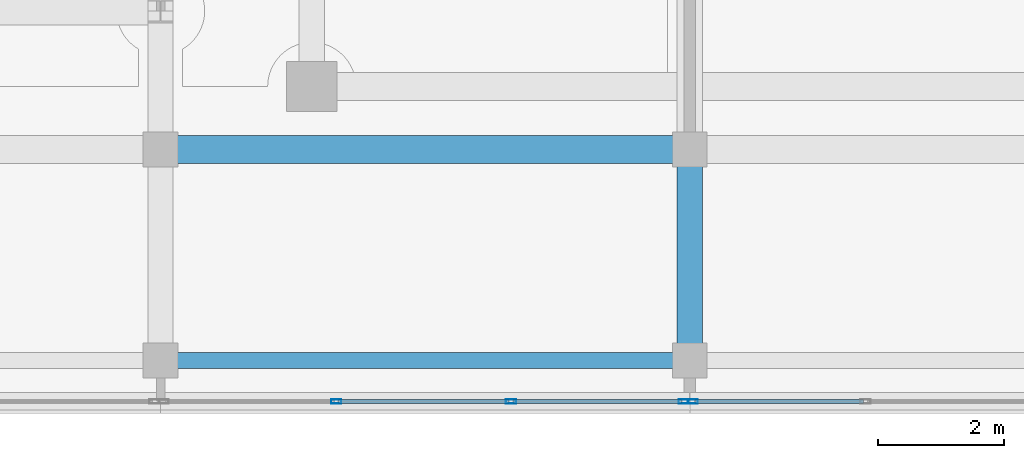
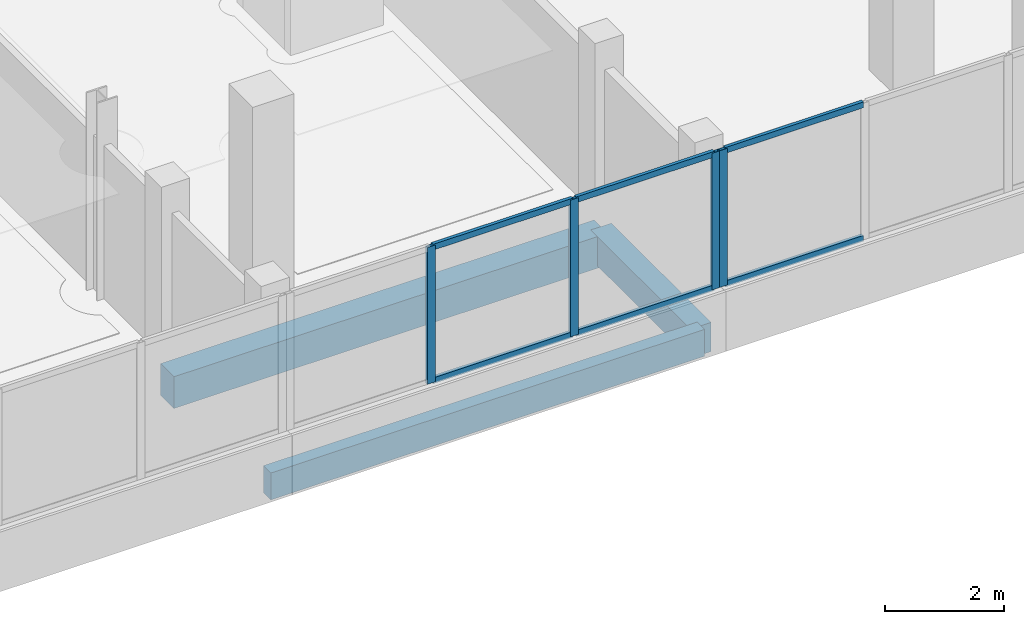
# One storey, part 16 of 67: 10 members, 3 beams, 2 elements without a shape of their own.
"""IFC4 building model written with IfcOpenShell, lengths in metres."""

from ifc_helpers import new_model, si_unit, direction, frame, origin, origin_2d, place, context, subcontext, project, spatial, rectangle, hollow_rectangle, extrude, material, material_profile, profile_set, type_object, element, aggregate, save


model = new_model("IFC4")

# Units and contexts
model_context = context("Model", 3, precision=1e-05, world=origin(), true_north=direction((0.0, 1.0)))
body_context = subcontext(model_context, "Body", "Model", "MODEL_VIEW")
ifc_project = project(units=[si_unit("LENGTHUNIT", "METRE"), si_unit("AREAUNIT", "SQUARE_METRE"), si_unit("VOLUMEUNIT", "CUBIC_METRE"), si_unit("PLANEANGLEUNIT", "RADIAN"), si_unit("MASSUNIT", "GRAM", prefix="KILO")], contexts=[model_context])

# Site, building, storey
site_placement = place(None, origin())
site = spatial("IfcSite", under=ifc_project, at=site_placement, CompositionType="ELEMENT")
building_placement = place(site_placement, origin())
building = spatial("IfcBuilding", under=site, at=building_placement, Name="Selatvlak General Hospital", CompositionType="ELEMENT")
storey_placement = place(building_placement, frame((0.0, 0.0, 35.39990234375)))
storey = spatial("IfcBuildingStorey", under=building, at=storey_placement, Name="L08", CompositionType="ELEMENT", Elevation=35.39990234375)

# Beams
ifc_material_1 = material(Name="Concrete C40/50", Category="concrete")
ifc_material_profile_1 = material_profile(ifc_material_1, rectangle(XDim=0.449951171875, YDim=0.64990234375, at=origin_2d()), Name="RC-BM 450x650")
ifc_profile_set_1 = profile_set([ifc_material_profile_1], Name="Concrete C40/50")
beam_type_1 = type_object("IfcBeamType", Name="BM-G04", PredefinedType="BEAM", material=ifc_profile_set_1)
beam_1_placement = place(storey_placement, frame((56.39990234375, 92.0, -0.58984375), z_axis=(1.0, 0.0, 0.0), x_axis=(0.0, 1.0, 0.0)))
element("IfcBeam", 1, at=beam_1_placement, inside=storey, type_object=beam_type_1, Name="Beam BMR-L08-2572", PredefinedType="BEAM", context=body_context, shape_type="SweptSolid", body=[
    extrude(rectangle(XDim=0.449951171875, YDim=0.64990234375, at=origin_2d()), origin(), (0.0, 0.0, 1.0), 8.400146484375),
])
ifc_material_profile_2 = material_profile(ifc_material_1, rectangle(XDim=0.39990234375, YDim=0.60009765625, at=origin_2d()), Name="RC-BM 400x600")
ifc_profile_set_2 = profile_set([ifc_material_profile_2], Name="Concrete C40/50")
beam_type_2 = type_object("IfcBeamType", Name="BM-G05", PredefinedType="BEAM", material=ifc_profile_set_2)
beam_2_placement = place(storey_placement, frame((64.800048828125, 88.64990234375, -0.56494140625), z_axis=(0.0, 1.0, 0.0), x_axis=(-1.0, 0.0, 0.0)))
element("IfcBeam", 2, at=beam_2_placement, inside=storey, type_object=beam_type_2, Name="Beam BMR-L08-2654", PredefinedType="BEAM", context=body_context, shape_type="SweptSolid", body=[
    extrude(rectangle(XDim=0.39990234375, YDim=0.60009765625, at=origin_2d()), origin(), (0.0, 0.0, 1.0), 3.35009765625),
])
ifc_material_profile_3 = material_profile(ifc_material_1, rectangle(XDim=0.25, YDim=0.550048828125, at=origin_2d()), Name="RC-SP 250x550")
ifc_profile_set_3 = profile_set([ifc_material_profile_3], Name="Concrete C40/50")
beam_type_3 = type_object("IfcBeamType", Name="BM-SP2", PredefinedType="SPANDREL", material=ifc_profile_set_3)
beam_3_placement = place(storey_placement, frame((56.39990234375, 88.64990234375, -0.539794921875), z_axis=(1.0, 0.0, 0.0), x_axis=(0.0, 1.0, 0.0)))
element("IfcBeam", 3, at=beam_3_placement, inside=storey, type_object=beam_type_3, Name="Beam BMR-L08-2555", PredefinedType="SPANDREL", context=body_context, shape_type="SweptSolid", body=[
    extrude(rectangle(XDim=0.25, YDim=0.550048828125, at=origin_2d()), origin(), (0.0, 0.0, 1.0), 8.400146484375),
])

# Curtain wall, member
ifc_material_2 = material(Name="Solar-control Low-E double glazing", Category="glass")
curtain_wall_type_1 = type_object("IfcCurtainWallType", Name="CW-CW-02", PredefinedType="USERDEFINED", material=ifc_material_2)
curtain_wall_1_placement = place(storey_placement, origin())
curtain_wall_1 = element("IfcCurtainWall", 4, at=curtain_wall_1_placement, inside=storey, type_object=curtain_wall_type_1, Name="Glazed facade curtain wall CW-L08-0711", ObjectType="UNITISED CURTAIN WALL", PredefinedType="USERDEFINED")
ifc_material_3 = material(Name="Dark anodised aluminium mullion", Category="aluminium")
ifc_material_profile_4 = material_profile(ifc_material_3, hollow_rectangle(XDim=0.06494140625, YDim=0.159912109375, WallThickness=0.00390625, at=origin_2d()), Name="AL-MUL 65x160x4")
ifc_profile_set_4 = profile_set([ifc_material_profile_4], Name="Dark anodised aluminium mullion")
member_type_1 = type_object("IfcMemberType", Name="CWM-01", PredefinedType="MULLION", material=ifc_profile_set_4)
member_1_placement = place(storey_placement, frame((64.847412109375, 88.0, 0.940185546875), z_axis=(0.0, 0.0, 1.0), x_axis=(0.0, -1.0, 0.0)))
member_1 = element("IfcMember", 5, at=member_1_placement, type_object=member_type_1, Name="CW-02 mullion 4", PredefinedType="MULLION", context=body_context, shape_type="SweptSolid", body=[
    extrude(hollow_rectangle(XDim=0.06494140625, YDim=0.159912109375, WallThickness=0.00390625, at=origin_2d()), origin(), (0.0, 0.0, 1.0), 2.7998046875),
])

# Curtain wall, members
curtain_wall_type_2 = type_object("IfcCurtainWallType", Name="CW-CW-01", PredefinedType="USERDEFINED", material=ifc_material_2)
curtain_wall_2_placement = place(storey_placement, origin())
curtain_wall_2 = element("IfcCurtainWall", 6, at=curtain_wall_2_placement, inside=storey, type_object=curtain_wall_type_2, Name="Glazed facade curtain wall CW-L08-0712", ObjectType="UNITISED CURTAIN WALL", PredefinedType="USERDEFINED")
member_2_placement = place(storey_placement, frame((64.702392578125, 88.0, 0.940185546875), z_axis=(0.0, 0.0, 1.0), x_axis=(0.0, -1.0, 0.0)))
member_2 = element("IfcMember", 7, at=member_2_placement, type_object=member_type_1, Name="CW-01 mullion 1", PredefinedType="MULLION", context=body_context, shape_type="SweptSolid", body=[
    extrude(hollow_rectangle(XDim=0.06494140625, YDim=0.159912109375, WallThickness=0.00390625, at=origin_2d()), origin(), (0.0, 0.0, 1.0), 2.7998046875),
])
member_3_placement = place(storey_placement, frame((61.961669921875, 88.0, 0.940185546875), z_axis=(0.0, 0.0, 1.0), x_axis=(0.0, -1.0, 0.0)))
member_3 = element("IfcMember", 8, at=member_3_placement, type_object=member_type_1, Name="CW-01 mullion 2", PredefinedType="MULLION", context=body_context, shape_type="SweptSolid", body=[
    extrude(hollow_rectangle(XDim=0.06494140625, YDim=0.159912109375, WallThickness=0.00390625, at=origin_2d()), origin(), (0.0, 0.0, 1.0), 2.7998046875),
])
member_4_placement = place(storey_placement, frame((59.188232421875, 88.0, 0.940185546875), z_axis=(0.0, 0.0, 1.0), x_axis=(0.0, -1.0, 0.0)))
member_4 = element("IfcMember", 9, at=member_4_placement, type_object=member_type_1, Name="CW-01 mullion 3", PredefinedType="MULLION", context=body_context, shape_type="SweptSolid", body=[
    extrude(hollow_rectangle(XDim=0.06494140625, YDim=0.159912109375, WallThickness=0.00390625, at=origin_2d()), origin(), (0.0, 0.0, 1.0), 2.7998046875),
])

# Member
ifc_material_profile_5 = material_profile(ifc_material_3, hollow_rectangle(XDim=0.06494140625, YDim=0.1201171875, WallThickness=0.00390625, at=origin_2d()), Name="AL-TRN 65x120x4")
ifc_profile_set_5 = profile_set([ifc_material_profile_5], Name="Dark anodised aluminium mullion")
member_type_2 = type_object("IfcMemberType", Name="CWT-01", PredefinedType="USERDEFINED", material=ifc_profile_set_5)
member_5_placement = place(storey_placement, frame((67.555908203125, 88.0, 0.97265625), z_axis=(-1.0, 0.0, 0.0), x_axis=(0.0, -1.0, 0.0)))
member_5 = element("IfcMember", 10, at=member_5_placement, type_object=member_type_2, Name="CW-02 transom 3.1", ObjectType="TRANSOM", PredefinedType="USERDEFINED", context=body_context, shape_type="SweptSolid", body=[
    extrude(hollow_rectangle(XDim=0.06494140625, YDim=0.1201171875, WallThickness=0.00390625, at=origin_2d()), origin(), (0.0, 0.0, 1.0), 2.676025390625),
])

member_6_placement = place(storey_placement, frame((67.555908203125, 88.0, 3.70751953125), z_axis=(-1.0, 0.0, 0.0), x_axis=(0.0, -1.0, 0.0)))
member_6 = element("IfcMember", 11, at=member_6_placement, type_object=member_type_2, Name="CW-02 transom 3.2", ObjectType="TRANSOM", PredefinedType="USERDEFINED", context=body_context, shape_type="SweptSolid", body=[
    extrude(hollow_rectangle(XDim=0.06494140625, YDim=0.1201171875, WallThickness=0.00390625, at=origin_2d()), origin(), (0.0, 0.0, 1.0), 2.676025390625),
])

aggregate(curtain_wall_1, [member_1, member_5, member_6])

member_7_placement = place(storey_placement, frame((64.669921875, 88.0, 0.97265625), z_axis=(-1.0, 0.0, 0.0), x_axis=(0.0, -1.0, 0.0)))
member_7 = element("IfcMember", 12, at=member_7_placement, type_object=member_type_2, Name="CW-01 transom 1.1", ObjectType="TRANSOM", PredefinedType="USERDEFINED", context=body_context, shape_type="SweptSolid", body=[
    extrude(hollow_rectangle(XDim=0.06494140625, YDim=0.1201171875, WallThickness=0.00390625, at=origin_2d()), origin(), (0.0, 0.0, 1.0), 2.67578125),
])

member_8_placement = place(storey_placement, frame((64.669921875, 88.0, 3.70751953125), z_axis=(-1.0, 0.0, 0.0), x_axis=(0.0, -1.0, 0.0)))
member_8 = element("IfcMember", 13, at=member_8_placement, type_object=member_type_2, Name="CW-01 transom 1.2", ObjectType="TRANSOM", PredefinedType="USERDEFINED", context=body_context, shape_type="SweptSolid", body=[
    extrude(hollow_rectangle(XDim=0.06494140625, YDim=0.1201171875, WallThickness=0.00390625, at=origin_2d()), origin(), (0.0, 0.0, 1.0), 2.67578125),
])

member_9_placement = place(storey_placement, frame((61.92919921875, 88.0, 0.97265625), z_axis=(-1.0, 0.0, 0.0), x_axis=(0.0, -1.0, 0.0)))
member_9 = element("IfcMember", 14, at=member_9_placement, type_object=member_type_2, Name="CW-01 transom 2.1", ObjectType="TRANSOM", PredefinedType="USERDEFINED", context=body_context, shape_type="SweptSolid", body=[
    extrude(hollow_rectangle(XDim=0.06494140625, YDim=0.1201171875, WallThickness=0.00390625, at=origin_2d()), origin(), (0.0, 0.0, 1.0), 2.708251953125),
])

member_10_placement = place(storey_placement, frame((61.92919921875, 88.0, 3.70751953125), z_axis=(-1.0, 0.0, 0.0), x_axis=(0.0, -1.0, 0.0)))
member_10 = element("IfcMember", 15, at=member_10_placement, type_object=member_type_2, Name="CW-01 transom 2.2", ObjectType="TRANSOM", PredefinedType="USERDEFINED", context=body_context, shape_type="SweptSolid", body=[
    extrude(hollow_rectangle(XDim=0.06494140625, YDim=0.1201171875, WallThickness=0.00390625, at=origin_2d()), origin(), (0.0, 0.0, 1.0), 2.708251953125),
])

aggregate(curtain_wall_2, [member_2, member_3, member_4, member_7, member_8, member_9, member_10])

save(model, "model.ifc")
